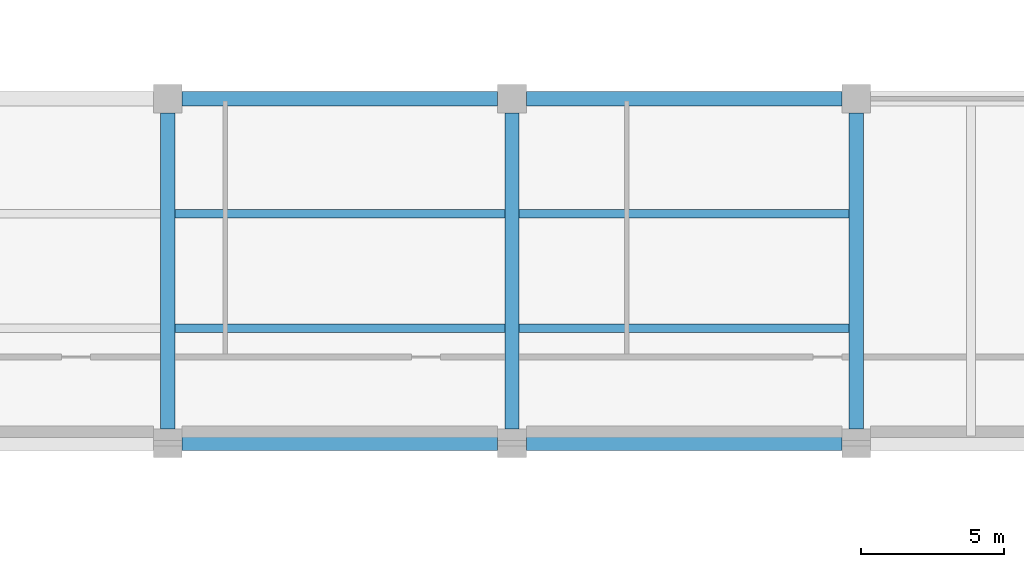
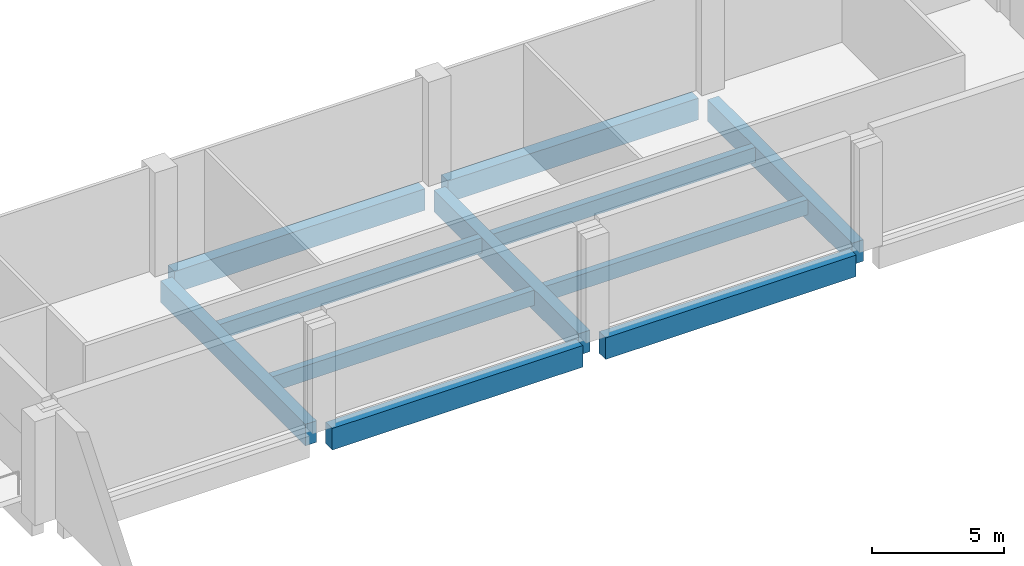
# One storey, part 20 of 69: 11 beams.
"""IFC4 building model written with IfcOpenShell, lengths in metres."""

import ifcopenshell
import ifcopenshell.guid

model = None  # the IFC model being written
_history = None  # IfcOwnerHistory: only IFC2X3 demands one
_inside = {}  # id of a spatial element -> (the spatial element, [elements in it])
_under = {}  # id of a project, library or spatial element -> (it, [spatial elements below it])
_declared = {}  # id of a project -> (the project, [libraries it declares])
_typed = {}  # id of a type object -> (the type object, [elements of that type])
_made_of = {}  # id of a material, layer set ... -> (it, [elements and type objects made of it])


def new_model(schema):
    """Start an empty IFC model of exactly this schema.

    Asked for "IFC4X3", IfcOpenShell would pick the latest addendum, in which some entities
    have other attributes; the version numbers below select the first issue.
    IFC2X3 requires an IfcOwnerHistory on every rooted entity: one is made here for all.
    """
    global model, _history
    if schema == "IFC4X3":
        model = ifcopenshell.file(schema_version=(4, 3, 0, 0))
    else:
        model = ifcopenshell.file(schema=schema)
    _inside.clear()
    _under.clear()
    _declared.clear()
    _typed.clear()
    _made_of.clear()
    _history = None
    if model.schema == "IFC2X3":
        org = make("IfcOrganization", Name="unknown")
        user = make(
            "IfcPersonAndOrganization",
            ThePerson=make("IfcPerson", FamilyName="unknown"),
            TheOrganization=org,
        )
        app = make(
            "IfcApplication",
            ApplicationDeveloper=org,
            Version="unknown",
            ApplicationFullName="unknown",
            ApplicationIdentifier="unknown",
        )
        _history = make(
            "IfcOwnerHistory",
            OwningUser=user,
            OwningApplication=app,
            ChangeAction="ADDED",
            CreationDate=0,
        )
    return model


def make(cls, **values):
    """One entity of the class cls with the attributes given. An attribute that is None is left unset."""
    return model.create_entity(
        cls, **{name: value for name, value in values.items() if value is not None}
    )


def rooted(cls, **values):
    """An entity with a GlobalId (a new one), such as an element, a storey or a relation."""
    return make(cls, GlobalId=ifcopenshell.guid.new(), OwnerHistory=_history, **values)


def si_unit(unit_type, name, prefix=None):
    """IfcSIUnit, for example si_unit("LENGTHUNIT", "METRE", prefix="MILLI")."""
    return make("IfcSIUnit", UnitType=unit_type, Prefix=prefix, Name=name)


def assignment(units):
    """IfcUnitAssignment: the units of a project."""
    return None if units is None else make("IfcUnitAssignment", Units=units)


def point(xyz):
    """IfcCartesianPoint."""
    return None if xyz is None else make("IfcCartesianPoint", Coordinates=xyz)


def direction(xyz):
    """IfcDirection."""
    return None if xyz is None else make("IfcDirection", DirectionRatios=xyz)


def frame(location, z_axis=None, x_axis=None):
    """IfcAxis2Placement3D, a coordinate frame: its origin and axes. An axis left out is left unset."""
    return make(
        "IfcAxis2Placement3D",
        Location=point(location),
        Axis=direction(z_axis),
        RefDirection=direction(x_axis),
    )


def frame_2d(location, x_axis=None):
    """IfcAxis2Placement2D, a coordinate frame in the plane: its origin and x axis."""
    return make(
        "IfcAxis2Placement2D", Location=point(location), RefDirection=direction(x_axis)
    )


def origin():
    """The frame at (0, 0, 0) with its axes left unset."""
    return frame((0.0, 0.0, 0.0))


def origin_2d():
    """The frame at (0, 0) in the plane with its x axis left unset."""
    return frame_2d((0.0, 0.0))


def place(relative_to, where):
    """IfcLocalPlacement: puts the frame where relative to a parent placement (None: the world)."""
    return make(
        "IfcLocalPlacement", PlacementRelTo=relative_to, RelativePlacement=where
    )


def context(
    kind, dimensions, precision=None, world=None, true_north=None, identifier=None
):
    """IfcGeometricRepresentationContext, for example the 3D "Model" context."""
    return make(
        "IfcGeometricRepresentationContext",
        ContextIdentifier=identifier,
        ContextType=kind,
        CoordinateSpaceDimension=dimensions,
        Precision=precision,
        WorldCoordinateSystem=world,
        TrueNorth=true_north,
    )


def subcontext(parent, identifier, kind, view, scale=None):
    """IfcGeometricRepresentationSubContext, for example "Body" below "Model"."""
    return make(
        "IfcGeometricRepresentationSubContext",
        ContextIdentifier=identifier,
        ContextType=kind,
        ParentContext=parent,
        TargetScale=scale,
        TargetView=view,
    )


def project(units=None, contexts=None):
    """IfcProject with its units and contexts."""
    return rooted(
        "IfcProject",
        Name="project",
        RepresentationContexts=contexts,
        UnitsInContext=assignment(units),
    )


def spatial(cls, under=None, at=None, **own):
    """A site, building, storey or space (cls), placed at a placement, below another one or the project."""
    s = rooted(cls, ObjectPlacement=at, **own)
    if under is not None:
        _under.setdefault(under.id(), (under, []))[1].append(s)
    return s


def profile(cls, at=None, kind="AREA", **sizes):
    """A parametric profile (cls). Its sizes go by their IFC names, for example OverallWidth=200.0."""
    return make(cls, ProfileType=kind, Position=at, **sizes)


def rectangle(**sizes):
    """IfcRectangleProfileDef."""
    return profile("IfcRectangleProfileDef", **sizes)


def extrude(swept, where, along, depth):
    """IfcExtrudedAreaSolid: the profile swept, set in the frame where, extruded along a direction by depth."""
    return make(
        "IfcExtrudedAreaSolid",
        SweptArea=swept,
        Position=where,
        ExtrudedDirection=direction(along),
        Depth=depth,
    )


def shape(context_of_items, identifier, shape_type, items):
    """IfcShapeRepresentation: the items that make up one representation, for example the "Body"."""
    return make(
        "IfcShapeRepresentation",
        ContextOfItems=context_of_items,
        RepresentationIdentifier=identifier,
        RepresentationType=shape_type,
        Items=items,
    )


def material(Name=None, Category=None):
    """IfcMaterial."""
    return make("IfcMaterial", Name=Name, Category=Category)


def material_profile(
    of_material, cross_section, Name=None, Category=None, Priority=None
):
    """IfcMaterialProfile: a cross section and its material."""
    return make(
        "IfcMaterialProfile",
        Name=Name,
        Material=of_material,
        Profile=cross_section,
        Priority=Priority,
        Category=Category,
    )


def profile_set(profiles, Name=None, composite=None):
    """IfcMaterialProfileSet."""
    return make(
        "IfcMaterialProfileSet",
        Name=Name,
        MaterialProfiles=profiles,
        CompositeProfile=composite,
    )


def made_of(thing, what):
    """Note that an element or type object is made of a material, layer set ...; save() writes the relation."""
    if what is not None:
        _made_of.setdefault(what.id(), (what, []))[1].append(thing)
    return thing


def type_object(cls, material=None, **own):
    """A type object (cls), such as IfcWallType, which elements share."""
    return made_of(rooted(cls, **own), material)


def element(
    cls,
    number,
    at=None,
    inside=None,
    cuts=None,
    type_object=None,
    material=None,
    context=None,
    identifier="Body",
    shape_type=None,
    held_by="IfcProductDefinitionShape",
    body=None,
    shapes=None,
    **own,
):
    """One element of the class cls, such as IfcWall. Its Tag is "e" and its number.

    at: its placement. inside: the storey or other place that contains it. cuts: it is an
    opening in that element (IfcRelVoidsElement). A single representation is given by context,
    identifier, shape_type and body (its items); several are given by shapes. held_by: the class
    of the entity that holds the representations. save() writes the other relations.
    """
    e = rooted(cls, Tag="e%d" % number, ObjectPlacement=at, **own)
    if body is not None:
        shapes = [shape(context, identifier, shape_type, body)]
    if shapes is not None:
        e.Representation = make(held_by, Representations=shapes)
    if inside is not None:
        _inside.setdefault(inside.id(), (inside, []))[1].append(e)
    if cuts is not None:
        rooted(
            "IfcRelVoidsElement", RelatingBuildingElement=cuts, RelatedOpeningElement=e
        )
    if type_object is not None:
        _typed.setdefault(type_object.id(), (type_object, []))[1].append(e)
    return made_of(e, material)


def aggregate(whole, parts):
    """IfcRelAggregates: a whole, such as a stair, and the parts it consists of."""
    return rooted("IfcRelAggregates", RelatingObject=whole, RelatedObjects=parts)


def save(model, path):
    """Write the relations noted so far, then the file.

    IfcRelAggregates (storeys below a building ...), IfcRelContainedInSpatialStructure (elements
    in a storey), IfcRelDefinesByType, IfcRelAssociatesMaterial and IfcRelDeclares: one each for
    every whole, place, type object, material and project.
    """
    for whole, parts in _under.values():
        aggregate(whole, parts)
    for where, things in _inside.values():
        rooted(
            "IfcRelContainedInSpatialStructure",
            RelatedElements=things,
            RelatingStructure=where,
        )
    for kind, things in _typed.values():
        rooted("IfcRelDefinesByType", RelatedObjects=things, RelatingType=kind)
    for what, things in _made_of.values():
        rooted("IfcRelAssociatesMaterial", RelatedObjects=things, RelatingMaterial=what)
    for by, libraries in _declared.values():
        rooted("IfcRelDeclares", RelatingContext=by, RelatedDefinitions=libraries)
    model.write(path)


model = new_model("IFC4")

# Units and contexts
model_context = context("Model", 3, precision=1e-05, world=origin(), true_north=direction((0.0, 1.0)))
body_context = subcontext(model_context, "Body", "Model", "MODEL_VIEW")
ifc_project = project(units=[si_unit("LENGTHUNIT", "METRE"), si_unit("AREAUNIT", "SQUARE_METRE"), si_unit("VOLUMEUNIT", "CUBIC_METRE"), si_unit("PLANEANGLEUNIT", "RADIAN"), si_unit("MASSUNIT", "GRAM", prefix="KILO")], contexts=[model_context])

# Site, building, storey
site_placement = place(None, origin())
site = spatial("IfcSite", under=ifc_project, at=site_placement, CompositionType="ELEMENT")
building_placement = place(site_placement, origin())
building = spatial("IfcBuilding", under=site, at=building_placement, Name="Lilac Gate Convention Centre", CompositionType="ELEMENT")
storey_placement = place(building_placement, frame((0.0, 0.0, 12.0)))
storey = spatial("IfcBuildingStorey", under=building, at=storey_placement, Name="L02", CompositionType="ELEMENT", Elevation=12.0)

# Beams
ifc_material = material(Name="Concrete C40", Category="concrete")
ifc_material_profile_1 = material_profile(ifc_material, rectangle(XDim=0.5, YDim=1.0, at=origin_2d()), Name="RC 500x1000")
ifc_profile_set_1 = profile_set([ifc_material_profile_1], Name="Concrete C40")
beam_type_1 = type_object("IfcBeamType", Name="Primary beam 500x1000 C40", PredefinedType="BEAM", material=ifc_profile_set_1)
for number, where, z_axis, x_axis, name in (
    (1, (42.5, 102.0, -0.75), (1.0, 0.0, 0.0), (0.0, 1.0, 0.0), "RB1 L02 4/G-5/G"),
    (2, (54.5, 102.0, -0.75), (1.0, 0.0, 0.0), (0.0, 1.0, 0.0), "RB1 L02 5/G-6/G"),
    (3, (42.5, 114.0, -0.75), (1.0, 0.0, 0.0), (0.0, 1.0, 0.0), "RB1 L02 4/H-5/H"),
    (4, (54.5, 114.0, -0.75), (1.0, 0.0, 0.0), (0.0, 1.0, 0.0), "RB1 L02 5/H-6/H"),
    (5, (42.0, 102.5, -0.75), (0.0, 1.0, 0.0), (-1.0, 0.0, 0.0), "RB1 L02 4/G-4/H"),
    (6, (54.0, 102.5, -0.75), (0.0, 1.0, 0.0), (-1.0, 0.0, 0.0), "RB1 L02 5/G-5/H"),
    (7, (66.0, 102.5, -0.75), (0.0, 1.0, 0.0), (-1.0, 0.0, 0.0), "RB1 L02 6/G-6/H"),
):
    element("IfcBeam", number, at=place(storey_placement, frame(where, z_axis=z_axis, x_axis=x_axis)), inside=storey, type_object=beam_type_1, Name=name, PredefinedType="BEAM", context=body_context, shape_type="SweptSolid", body=[
        extrude(rectangle(XDim=0.5, YDim=1.0, at=origin_2d()), origin(), (0.0, 0.0, 1.0), 11.0),
    ])
ifc_material_profile_2 = material_profile(ifc_material, rectangle(XDim=0.300048828125, YDim=0.699951171875, at=origin_2d()), Name="RC 300x700")
ifc_profile_set_2 = profile_set([ifc_material_profile_2], Name="Concrete C40")
beam_type_2 = type_object("IfcBeamType", Name="Secondary beam 300x700 C40", PredefinedType="BEAM", material=ifc_profile_set_2)
for number, where, z_axis, x_axis, name in (
    (8, (42.25, 106.0, -0.60009765625), (1.0, 0.0, 0.0), (0.0, 1.0, 0.0), "RB2 L02 bay 4/G"),
    (9, (42.25, 110.0, -0.60009765625), (1.0, 0.0, 0.0), (0.0, 1.0, 0.0), "RB2 L02 bay 4/G"),
    (10, (54.25, 106.0, -0.60009765625), (1.0, 0.0, 0.0), (0.0, 1.0, 0.0), "RB2 L02 bay 5/G"),
    (11, (54.25, 110.0, -0.60009765625), (1.0, 0.0, 0.0), (0.0, 1.0, 0.0), "RB2 L02 bay 5/G"),
):
    element("IfcBeam", number, at=place(storey_placement, frame(where, z_axis=z_axis, x_axis=x_axis)), inside=storey, type_object=beam_type_2, Name=name, PredefinedType="BEAM", context=body_context, shape_type="SweptSolid", body=[
        extrude(rectangle(XDim=0.300048828125, YDim=0.699951171875, at=origin_2d()), origin(), (0.0, 0.0, 1.0), 11.5),
    ])

save(model, "model.ifc")
